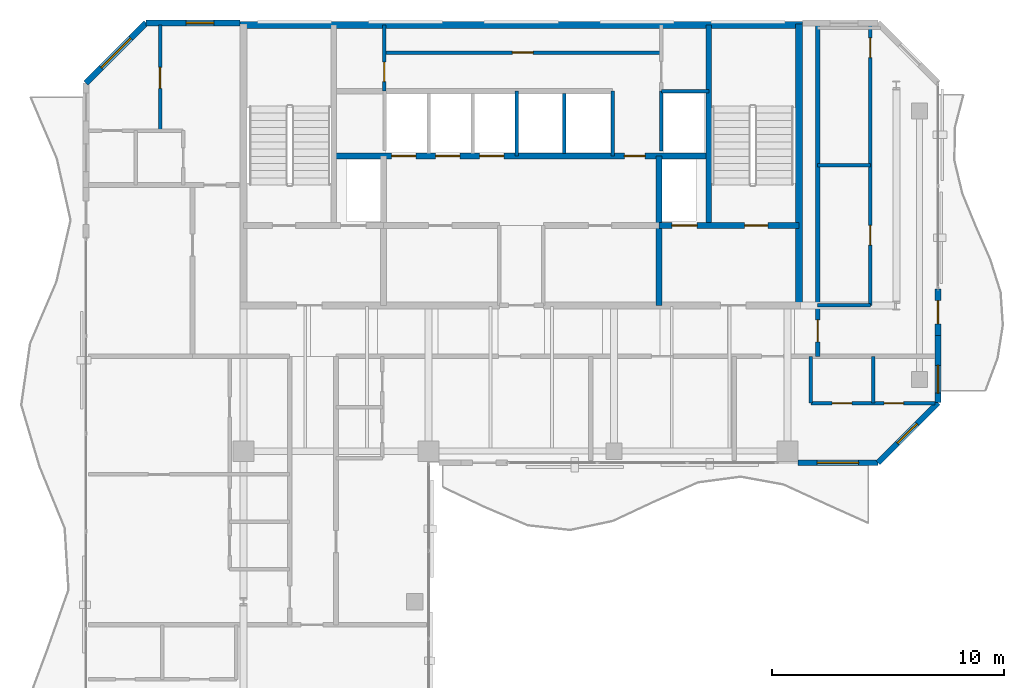
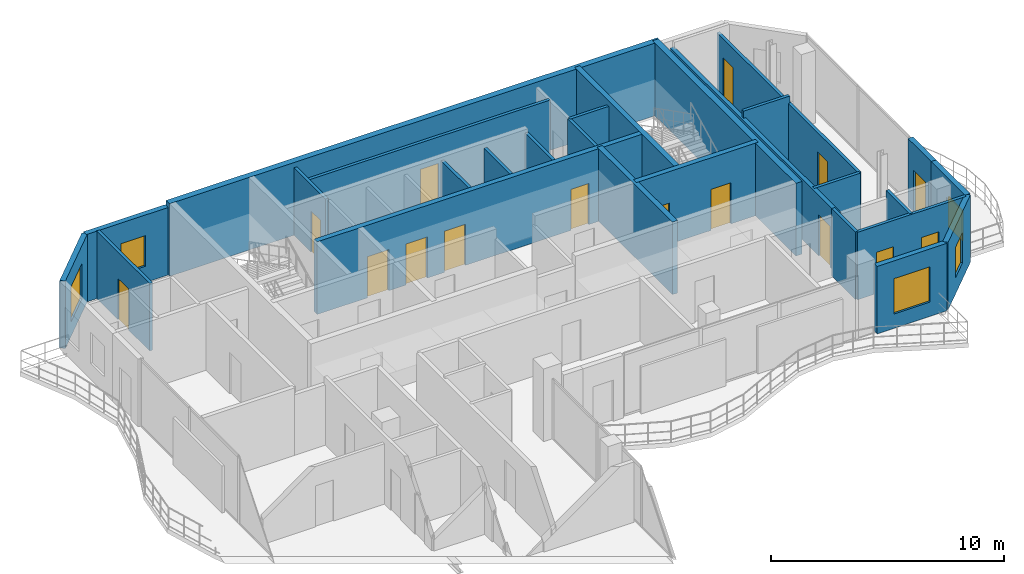
# One storey, part 14 of 17: 27 walls, 15 doors, 5 windows, 20 openings.
"""IFC4 building model written with IfcOpenShell, lengths in metres."""

import ifcopenshell
import ifcopenshell.guid

model = None  # the IFC model being written
_history = None  # IfcOwnerHistory: only IFC2X3 demands one
_inside = {}  # id of a spatial element -> (the spatial element, [elements in it])
_under = {}  # id of a project, library or spatial element -> (it, [spatial elements below it])
_declared = {}  # id of a project -> (the project, [libraries it declares])
_typed = {}  # id of a type object -> (the type object, [elements of that type])
_made_of = {}  # id of a material, layer set ... -> (it, [elements and type objects made of it])


def new_model(schema):
    """Start an empty IFC model of exactly this schema.

    Asked for "IFC4X3", IfcOpenShell would pick the latest addendum, in which some entities
    have other attributes; the version numbers below select the first issue.
    IFC2X3 requires an IfcOwnerHistory on every rooted entity: one is made here for all.
    """
    global model, _history
    if schema == "IFC4X3":
        model = ifcopenshell.file(schema_version=(4, 3, 0, 0))
    else:
        model = ifcopenshell.file(schema=schema)
    _inside.clear()
    _under.clear()
    _declared.clear()
    _typed.clear()
    _made_of.clear()
    _history = None
    if model.schema == "IFC2X3":
        org = make("IfcOrganization", Name="unknown")
        user = make(
            "IfcPersonAndOrganization",
            ThePerson=make("IfcPerson", FamilyName="unknown"),
            TheOrganization=org,
        )
        app = make(
            "IfcApplication",
            ApplicationDeveloper=org,
            Version="unknown",
            ApplicationFullName="unknown",
            ApplicationIdentifier="unknown",
        )
        _history = make(
            "IfcOwnerHistory",
            OwningUser=user,
            OwningApplication=app,
            ChangeAction="ADDED",
            CreationDate=0,
        )
    return model


def make(cls, **values):
    """One entity of the class cls with the attributes given. An attribute that is None is left unset."""
    return model.create_entity(
        cls, **{name: value for name, value in values.items() if value is not None}
    )


def rooted(cls, **values):
    """An entity with a GlobalId (a new one), such as an element, a storey or a relation."""
    return make(cls, GlobalId=ifcopenshell.guid.new(), OwnerHistory=_history, **values)


def si_unit(unit_type, name, prefix=None):
    """IfcSIUnit, for example si_unit("LENGTHUNIT", "METRE", prefix="MILLI")."""
    return make("IfcSIUnit", UnitType=unit_type, Prefix=prefix, Name=name)


def assignment(units):
    """IfcUnitAssignment: the units of a project."""
    return None if units is None else make("IfcUnitAssignment", Units=units)


def point(xyz):
    """IfcCartesianPoint."""
    return None if xyz is None else make("IfcCartesianPoint", Coordinates=xyz)


def direction(xyz):
    """IfcDirection."""
    return None if xyz is None else make("IfcDirection", DirectionRatios=xyz)


def frame(location, z_axis=None, x_axis=None):
    """IfcAxis2Placement3D, a coordinate frame: its origin and axes. An axis left out is left unset."""
    return make(
        "IfcAxis2Placement3D",
        Location=point(location),
        Axis=direction(z_axis),
        RefDirection=direction(x_axis),
    )


def frame_2d(location, x_axis=None):
    """IfcAxis2Placement2D, a coordinate frame in the plane: its origin and x axis."""
    return make(
        "IfcAxis2Placement2D", Location=point(location), RefDirection=direction(x_axis)
    )


def origin():
    """The frame at (0, 0, 0) with its axes left unset."""
    return frame((0.0, 0.0, 0.0))


def place(relative_to, where):
    """IfcLocalPlacement: puts the frame where relative to a parent placement (None: the world)."""
    return make(
        "IfcLocalPlacement", PlacementRelTo=relative_to, RelativePlacement=where
    )


def context(
    kind, dimensions, precision=None, world=None, true_north=None, identifier=None
):
    """IfcGeometricRepresentationContext, for example the 3D "Model" context."""
    return make(
        "IfcGeometricRepresentationContext",
        ContextIdentifier=identifier,
        ContextType=kind,
        CoordinateSpaceDimension=dimensions,
        Precision=precision,
        WorldCoordinateSystem=world,
        TrueNorth=true_north,
    )


def subcontext(parent, identifier, kind, view, scale=None):
    """IfcGeometricRepresentationSubContext, for example "Body" below "Model"."""
    return make(
        "IfcGeometricRepresentationSubContext",
        ContextIdentifier=identifier,
        ContextType=kind,
        ParentContext=parent,
        TargetScale=scale,
        TargetView=view,
    )


def project(units=None, contexts=None):
    """IfcProject with its units and contexts."""
    return rooted(
        "IfcProject",
        Name="project",
        RepresentationContexts=contexts,
        UnitsInContext=assignment(units),
    )


def spatial(cls, under=None, at=None, **own):
    """A site, building, storey or space (cls), placed at a placement, below another one or the project."""
    s = rooted(cls, ObjectPlacement=at, **own)
    if under is not None:
        _under.setdefault(under.id(), (under, []))[1].append(s)
    return s


def profile(cls, at=None, kind="AREA", **sizes):
    """A parametric profile (cls). Its sizes go by their IFC names, for example OverallWidth=200.0."""
    return make(cls, ProfileType=kind, Position=at, **sizes)


def rectangle(**sizes):
    """IfcRectangleProfileDef."""
    return profile("IfcRectangleProfileDef", **sizes)


def extrude(swept, where, along, depth):
    """IfcExtrudedAreaSolid: the profile swept, set in the frame where, extruded along a direction by depth."""
    return make(
        "IfcExtrudedAreaSolid",
        SweptArea=swept,
        Position=where,
        ExtrudedDirection=direction(along),
        Depth=depth,
    )


def shape(context_of_items, identifier, shape_type, items):
    """IfcShapeRepresentation: the items that make up one representation, for example the "Body"."""
    return make(
        "IfcShapeRepresentation",
        ContextOfItems=context_of_items,
        RepresentationIdentifier=identifier,
        RepresentationType=shape_type,
        Items=items,
    )


def material(Name=None, Category=None):
    """IfcMaterial."""
    return make("IfcMaterial", Name=Name, Category=Category)


def layer(
    of_material, thickness, ventilated=None, Name=None, Category=None, Priority=None
):
    """IfcMaterialLayer: one layer of a wall or slab, of a material (None: an air gap)."""
    return make(
        "IfcMaterialLayer",
        Material=of_material,
        LayerThickness=thickness,
        IsVentilated=ventilated,
        Name=Name,
        Category=Category,
        Priority=Priority,
    )


def layer_set(layers, Name=None):
    """IfcMaterialLayerSet."""
    return make("IfcMaterialLayerSet", MaterialLayers=layers, LayerSetName=Name)


def made_of(thing, what):
    """Note that an element or type object is made of a material, layer set ...; save() writes the relation."""
    if what is not None:
        _made_of.setdefault(what.id(), (what, []))[1].append(thing)
    return thing


def type_object(cls, material=None, **own):
    """A type object (cls), such as IfcWallType, which elements share."""
    return made_of(rooted(cls, **own), material)


def element(
    cls,
    number,
    at=None,
    inside=None,
    cuts=None,
    type_object=None,
    material=None,
    context=None,
    identifier="Body",
    shape_type=None,
    held_by="IfcProductDefinitionShape",
    body=None,
    shapes=None,
    **own,
):
    """One element of the class cls, such as IfcWall. Its Tag is "e" and its number.

    at: its placement. inside: the storey or other place that contains it. cuts: it is an
    opening in that element (IfcRelVoidsElement). A single representation is given by context,
    identifier, shape_type and body (its items); several are given by shapes. held_by: the class
    of the entity that holds the representations. save() writes the other relations.
    """
    e = rooted(cls, Tag="e%d" % number, ObjectPlacement=at, **own)
    if body is not None:
        shapes = [shape(context, identifier, shape_type, body)]
    if shapes is not None:
        e.Representation = make(held_by, Representations=shapes)
    if inside is not None:
        _inside.setdefault(inside.id(), (inside, []))[1].append(e)
    if cuts is not None:
        rooted(
            "IfcRelVoidsElement", RelatingBuildingElement=cuts, RelatedOpeningElement=e
        )
    if type_object is not None:
        _typed.setdefault(type_object.id(), (type_object, []))[1].append(e)
    return made_of(e, material)


def fill(opening, filler):
    """IfcRelFillsElement: the door or window that sits in an opening."""
    return rooted(
        "IfcRelFillsElement",
        RelatingOpeningElement=opening,
        RelatedBuildingElement=filler,
    )


def aggregate(whole, parts):
    """IfcRelAggregates: a whole, such as a stair, and the parts it consists of."""
    return rooted("IfcRelAggregates", RelatingObject=whole, RelatedObjects=parts)


def save(model, path):
    """Write the relations noted so far, then the file.

    IfcRelAggregates (storeys below a building ...), IfcRelContainedInSpatialStructure (elements
    in a storey), IfcRelDefinesByType, IfcRelAssociatesMaterial and IfcRelDeclares: one each for
    every whole, place, type object, material and project.
    """
    for whole, parts in _under.values():
        aggregate(whole, parts)
    for where, things in _inside.values():
        rooted(
            "IfcRelContainedInSpatialStructure",
            RelatedElements=things,
            RelatingStructure=where,
        )
    for kind, things in _typed.values():
        rooted("IfcRelDefinesByType", RelatedObjects=things, RelatingType=kind)
    for what, things in _made_of.values():
        rooted("IfcRelAssociatesMaterial", RelatedObjects=things, RelatingMaterial=what)
    for by, libraries in _declared.values():
        rooted("IfcRelDeclares", RelatingContext=by, RelatedDefinitions=libraries)
    model.write(path)


model = new_model("IFC4")

# Units and contexts
model_context = context("Model", 3, precision=1e-05, world=origin(), true_north=direction((0.0, 1.0)))
body_context = subcontext(model_context, "Body", "Model", "MODEL_VIEW")
ifc_project = project(units=[si_unit("LENGTHUNIT", "METRE"), si_unit("AREAUNIT", "SQUARE_METRE"), si_unit("VOLUMEUNIT", "CUBIC_METRE"), si_unit("PLANEANGLEUNIT", "RADIAN"), si_unit("MASSUNIT", "GRAM", prefix="KILO")], contexts=[model_context])

# Site, building, storey
site_placement = place(None, origin())
site = spatial("IfcSite", under=ifc_project, at=site_placement, CompositionType="ELEMENT")
building_placement = place(site_placement, origin())
building = spatial("IfcBuilding", under=site, at=building_placement, Name="Catumbela Crestline Tower", CompositionType="ELEMENT")
storey_placement = place(building_placement, frame((0.0, 0.0, 271.6)))
storey = spatial("IfcBuildingStorey", under=building, at=storey_placement, Name="L70", CompositionType="ELEMENT", Elevation=271.6)

# Walls
ifc_material_1 = material(Name="Concrete C50/60", Category="concrete")
ifc_layer_1 = layer(ifc_material_1, 0.25, Name="Concrete C50/60")
ifc_layer_set_1 = layer_set([ifc_layer_1], Name="Concrete C50/60")
wall_type_1 = type_object("IfcWallType", Name="CW-250D", PredefinedType="SHEAR", material=ifc_layer_set_1)
wall_1_placement = place(storey_placement, frame((36.1, 34.25, 0.0), z_axis=(0.0, 0.0, 1.0), x_axis=(0.0, 1.0, 0.0)))
element("IfcWall", 1, at=wall_1_placement, inside=storey, type_object=wall_type_1, Name="L70 Structural Core Shear Wall EWEB", PredefinedType="SHEAR", context=body_context, shape_type="SweptSolid", body=[
    extrude(rectangle(XDim=8.65, YDim=0.25, at=frame_2d((4.325, 0.0))), origin(), (0.0, 0.0, 1.0), 3.8),
])
wall_2_placement = place(storey_placement, frame((33.95, 30.8, 0.0), z_axis=(0.0, 0.0, 1.0), x_axis=(0.0, 1.0, 0.0)))
element("IfcWall", 2, at=wall_2_placement, inside=storey, type_object=wall_type_1, Name="L70 Structural Core Shear Wall FFE", PredefinedType="SHEAR", context=body_context, shape_type="SweptSolid", body=[
    extrude(rectangle(XDim=6.45, YDim=0.25, at=frame_2d((3.225, 0.0))), origin(), (0.0, 0.0, 1.0), 3.8),
])

# Wall, openings, doors
wall_3_placement = place(storey_placement, frame((33.95, 34.25, 0.0), z_axis=(0.0, 0.0, 1.0), x_axis=(1.0, 0.0, 0.0)))
wall_3 = element("IfcWall", 3, at=wall_3_placement, inside=storey, type_object=wall_type_1, Name="L70 Structural Core Shear Wall ST2S", PredefinedType="SHEAR", context=body_context, shape_type="SweptSolid", body=[
    extrude(rectangle(XDim=6.05, YDim=0.25, at=frame_2d((3.025, 0.0))), origin(), (0.0, 0.0, 1.0), 3.8),
])
opening_1_placement = place(wall_3_placement, frame((3.7, 0.0, 0.0)))
opening_1 = element("IfcOpeningElement", 4, at=opening_1_placement, cuts=wall_3, Name="Opening DF9-100", PredefinedType="OPENING", context=body_context, shape_type="SweptSolid", body=[
    extrude(rectangle(XDim=1.0, YDim=2.15, at=frame_2d((0.5, 1.075))), frame((0.0, 0.135, 0.0), z_axis=(0.0, -1.0, 0.0), x_axis=(1.0, 0.0, 0.0)), (0.0, 0.0, 1.0), 0.27),
])
opening_2_placement = place(wall_3_placement, frame((0.55, 0.0, 0.0)))
opening_2 = element("IfcOpeningElement", 5, at=opening_2_placement, cuts=wall_3, Name="Opening LD-110", PredefinedType="OPENING", context=body_context, shape_type="SweptSolid", body=[
    extrude(rectangle(XDim=1.1, YDim=2.15, at=frame_2d((0.55, 1.075))), frame((0.0, 0.135, 0.0), z_axis=(0.0, -1.0, 0.0), x_axis=(1.0, 0.0, 0.0)), (0.0, 0.0, 1.0), 0.27),
])
ifc_material_2 = material(Name="Stainless steel EN 1.4401", Category="steel")
door_type_1 = type_object("IfcDoorType", Name="DF9-100", OperationType="NOTDEFINED", PredefinedType="DOOR", material=ifc_material_2)
door_1_placement = place(opening_1_placement, origin())
door_1 = element("IfcDoor", 6, at=door_1_placement, inside=storey, type_object=door_type_1, Name="L70 Interior Door DR-L70-ST02", OperationType="SINGLE_SWING_RIGHT", OverallHeight=2.15, OverallWidth=1.0, PredefinedType="DOOR", context=body_context, shape_type="SweptSolid", body=[
    extrude(rectangle(XDim=1.0, YDim=2.15, at=frame_2d((0.5, 1.075))), frame((0.0, 0.025, 0.0), z_axis=(0.0, -1.0, 0.0), x_axis=(1.0, 0.0, 0.0)), (0.0, 0.0, 1.0), 0.05),
])
fill(opening_1, door_1)
door_type_2 = type_object("IfcDoorType", Name="LD-110", OperationType="NOTDEFINED", PredefinedType="DOOR", material=ifc_material_2)
door_2_placement = place(opening_2_placement, origin())
door_2 = element("IfcDoor", 7, at=door_2_placement, inside=storey, type_object=door_type_2, Name="L70 Lift Landing Sliding Door FL-02", OperationType="DOUBLE_DOOR_SLIDING", OverallHeight=2.15, OverallWidth=1.1, PredefinedType="DOOR", context=body_context, shape_type="SweptSolid", body=[
    extrude(rectangle(XDim=1.1, YDim=2.15, at=frame_2d((0.55, 1.075))), frame((0.0, 0.025, 0.0), z_axis=(0.0, -1.0, 0.0), x_axis=(1.0, 0.0, 0.0)), (0.0, 0.0, 1.0), 0.05),
])
fill(opening_2, door_2)

wall_4_placement = place(storey_placement, frame((19.9, 37.25, 0.0), z_axis=(0.0, 0.0, 1.0), x_axis=(1.0, 0.0, 0.0)))
wall_4 = element("IfcWall", 8, at=wall_4_placement, inside=storey, type_object=wall_type_1, Name="L70 Structural Core Shear Wall LIFTN", PredefinedType="SHEAR", context=body_context, shape_type="SweptSolid", body=[
    extrude(rectangle(XDim=16.2, YDim=0.25, at=frame_2d((8.1, 0.0))), origin(), (0.0, 0.0, 1.0), 3.8),
])
opening_3_placement = place(wall_4_placement, frame((12.55, 0.0, 0.0)))
opening_3 = element("IfcOpeningElement", 9, at=opening_3_placement, cuts=wall_4, Name="Opening DF9-090", PredefinedType="OPENING", context=body_context, shape_type="SweptSolid", body=[
    extrude(rectangle(XDim=0.9, YDim=2.15, at=frame_2d((0.45, 1.075))), frame((0.0, 0.135, 0.0), z_axis=(0.0, -1.0, 0.0), x_axis=(1.0, 0.0, 0.0)), (0.0, 0.0, 1.0), 0.27),
])
opening_4_placement = place(wall_4_placement, frame((2.5, 0.0, 0.0)))
opening_4 = element("IfcOpeningElement", 10, at=opening_4_placement, cuts=wall_4, Name="Opening LD-105", PredefinedType="OPENING", context=body_context, shape_type="SweptSolid", body=[
    extrude(rectangle(XDim=1.05, YDim=2.15, at=frame_2d((0.525, 1.075))), frame((0.0, 0.135, 0.0), z_axis=(0.0, -1.0, 0.0), x_axis=(1.0, 0.0, 0.0)), (0.0, 0.0, 1.0), 0.27),
])
opening_5_placement = place(wall_4_placement, frame((4.4, 0.0, 0.0)))
opening_5 = element("IfcOpeningElement", 11, at=opening_5_placement, cuts=wall_4, Name="Opening LD-105", PredefinedType="OPENING", context=body_context, shape_type="SweptSolid", body=[
    extrude(rectangle(XDim=1.05, YDim=2.15, at=frame_2d((0.525, 1.075))), frame((0.0, 0.135, 0.0), z_axis=(0.0, -1.0, 0.0), x_axis=(1.0, 0.0, 0.0)), (0.0, 0.0, 1.0), 0.27),
])
opening_6_placement = place(wall_4_placement, frame((6.3, 0.0, 0.0)))
opening_6 = element("IfcOpeningElement", 12, at=opening_6_placement, cuts=wall_4, Name="Opening LD-105", PredefinedType="OPENING", context=body_context, shape_type="SweptSolid", body=[
    extrude(rectangle(XDim=1.05, YDim=2.15, at=frame_2d((0.525, 1.075))), frame((0.0, 0.135, 0.0), z_axis=(0.0, -1.0, 0.0), x_axis=(1.0, 0.0, 0.0)), (0.0, 0.0, 1.0), 0.27),
])
door_type_3 = type_object("IfcDoorType", Name="DF9-090", OperationType="NOTDEFINED", PredefinedType="DOOR", material=ifc_material_2)
door_3_placement = place(opening_3_placement, origin())
door_3 = element("IfcDoor", 13, at=door_3_placement, inside=storey, type_object=door_type_3, Name="L70 Interior Door DR-L70-CPAS1", OperationType="SINGLE_SWING_LEFT", OverallHeight=2.15, OverallWidth=0.9, PredefinedType="DOOR", context=body_context, shape_type="SweptSolid", body=[
    extrude(rectangle(XDim=0.9, YDim=2.15, at=frame_2d((0.45, 1.075))), frame((0.0, 0.025, 0.0), z_axis=(0.0, -1.0, 0.0), x_axis=(1.0, 0.0, 0.0)), (0.0, 0.0, 1.0), 0.05),
])
fill(opening_3, door_3)
door_type_4 = type_object("IfcDoorType", Name="LD-105", OperationType="NOTDEFINED", PredefinedType="DOOR", material=ifc_material_2)
door_4_placement = place(opening_4_placement, origin())
door_4 = element("IfcDoor", 14, at=door_4_placement, inside=storey, type_object=door_type_4, Name="L70 Lift Landing Sliding Door PL-H1", OperationType="DOUBLE_DOOR_SLIDING", OverallHeight=2.15, OverallWidth=1.05, PredefinedType="DOOR", context=body_context, shape_type="SweptSolid", body=[
    extrude(rectangle(XDim=1.05, YDim=2.15, at=frame_2d((0.525, 1.075))), frame((0.0, 0.025, 0.0), z_axis=(0.0, -1.0, 0.0), x_axis=(1.0, 0.0, 0.0)), (0.0, 0.0, 1.0), 0.05),
])
fill(opening_4, door_4)
door_5_placement = place(opening_5_placement, origin())
door_5 = element("IfcDoor", 15, at=door_5_placement, inside=storey, type_object=door_type_4, Name="L70 Lift Landing Sliding Door PL-H2", OperationType="DOUBLE_DOOR_SLIDING", OverallHeight=2.15, OverallWidth=1.05, PredefinedType="DOOR", context=body_context, shape_type="SweptSolid", body=[
    extrude(rectangle(XDim=1.05, YDim=2.15, at=frame_2d((0.525, 1.075))), frame((0.0, 0.025, 0.0), z_axis=(0.0, -1.0, 0.0), x_axis=(1.0, 0.0, 0.0)), (0.0, 0.0, 1.0), 0.05),
])
fill(opening_5, door_5)
door_6_placement = place(opening_6_placement, origin())
door_6 = element("IfcDoor", 16, at=door_6_placement, inside=storey, type_object=door_type_4, Name="L70 Lift Landing Sliding Door PL-H3", OperationType="DOUBLE_DOOR_SLIDING", OverallHeight=2.15, OverallWidth=1.05, PredefinedType="DOOR", context=body_context, shape_type="SweptSolid", body=[
    extrude(rectangle(XDim=1.05, YDim=2.15, at=frame_2d((0.525, 1.075))), frame((0.0, 0.025, 0.0), z_axis=(0.0, -1.0, 0.0), x_axis=(1.0, 0.0, 0.0)), (0.0, 0.0, 1.0), 0.05),
])
fill(opening_6, door_6)

# Walls
ifc_material_3 = material(Name="Concrete C45/55", Category="concrete")
ifc_layer_2 = layer(ifc_material_3, 0.3, Name="Concrete C45/55")
ifc_layer_set_2 = layer_set([ifc_layer_2], Name="Concrete C45/55")
wall_type_2 = type_object("IfcWallType", Name="CW-300C", PredefinedType="SHEAR", material=ifc_layer_set_2)
wall_5_placement = place(storey_placement, frame((40.0, 30.65, 0.0), z_axis=(0.0, 0.0, 1.0), x_axis=(0.0, 1.0, 0.0)))
element("IfcWall", 17, at=wall_5_placement, inside=storey, type_object=wall_type_2, Name="L70 Structural Core Shear Wall E", PredefinedType="SHEAR", context=body_context, shape_type="SweptSolid", body=[
    extrude(rectangle(XDim=12.3, YDim=0.3, at=frame_2d((6.15, 0.0))), origin(), (0.0, 0.0, 1.0), 3.8),
])
ifc_layer_3 = layer(ifc_material_3, 0.3, Name="Concrete C45/55")
ifc_layer_set_3 = layer_set([ifc_layer_3], Name="Concrete C45/55")
wall_type_3 = type_object("IfcWallType", Name="CW-300E", PredefinedType="SHEAR", material=ifc_layer_set_3)
wall_6_placement = place(storey_placement, frame((15.85, 42.9, 0.0), z_axis=(0.0, 0.0, 1.0), x_axis=(1.0, 0.0, 0.0)))
element("IfcWall", 18, at=wall_6_placement, inside=storey, type_object=wall_type_3, Name="L70 Structural Core Shear Wall N", PredefinedType="SHEAR", context=body_context, shape_type="SweptSolid", body=[
    extrude(rectangle(XDim=24.3, YDim=0.3, at=frame_2d((12.15, 0.0))), origin(), (0.0, 0.0, 1.0), 3.8),
])

# Wall, opening, door
ifc_material_4 = material(Name="Acoustic gypsum and mineral-wool partition")
ifc_layer_4 = layer(ifc_material_4, 0.2, Name="Acoustic gypsum and mineral-wool partition")
ifc_layer_set_4 = layer_set([ifc_layer_4], Name="Acoustic gypsum and mineral-wool partition")
wall_type_4 = type_object("IfcWallType", Name="WC-200", PredefinedType="PARTITIONING", material=ifc_layer_set_4)
wall_7_placement = place(storey_placement, frame((40.8, 28.6, 0.0), z_axis=(0.0, 0.0, 1.0), x_axis=(0.0, 1.0, 0.0)))
wall_7 = element("IfcWall", 19, at=wall_7_placement, inside=storey, type_object=wall_type_4, Name="L70 Interior Partition PW-L70-NE1-ENT", PredefinedType="PARTITIONING", context=body_context, shape_type="SweptSolid", body=[
    extrude(rectangle(XDim=14.3, YDim=0.2, at=frame_2d((7.15, 0.0))), origin(), (0.0, 0.0, 1.0), 3.16),
])
opening_7_placement = place(wall_7_placement, frame((0.625, 0.0, 0.0)))
opening_7 = element("IfcOpeningElement", 20, at=opening_7_placement, cuts=wall_7, Name="Opening DF6-095", PredefinedType="OPENING", context=body_context, shape_type="SweptSolid", body=[
    extrude(rectangle(XDim=0.95, YDim=2.15, at=frame_2d((0.475, 1.075))), frame((0.0, 0.11, 0.0), z_axis=(0.0, -1.0, 0.0), x_axis=(1.0, 0.0, 0.0)), (0.0, 0.0, 1.0), 0.22),
])
ifc_material_5 = material(Name="Aluminium alloy AW-6060-T66", Category="aluminium")
door_type_5 = type_object("IfcDoorType", Name="DF6-095", OperationType="NOTDEFINED", PredefinedType="DOOR", material=ifc_material_5)
door_7_placement = place(opening_7_placement, origin())
door_7 = element("IfcDoor", 21, at=door_7_placement, inside=storey, type_object=door_type_5, Name="L70 Interior Door DR-L70-NE1-ENT", OperationType="SINGLE_SWING_LEFT", OverallHeight=2.15, OverallWidth=0.95, PredefinedType="DOOR", context=body_context, shape_type="SweptSolid", body=[
    extrude(rectangle(XDim=0.95, YDim=2.15, at=frame_2d((0.475, 1.075))), frame((0.0, 0.025, 0.0), z_axis=(0.0, -1.0, 0.0), x_axis=(1.0, 0.0, 0.0)), (0.0, 0.0, 1.0), 0.05),
])
fill(opening_7, door_7)

# Wall, opening, window
ifc_material_6 = material(Name="Angolan grey-ochre granite", Category="masonry")
ifc_layer_5 = layer(ifc_material_6, 0.25, Name="Angolan grey-ochre granite")
ifc_layer_set_5 = layer_set([ifc_layer_5], Name="Angolan grey-ochre granite")
wall_type_5 = type_object("IfcWallType", Name="WE-250", PredefinedType="STANDARD", material=ifc_layer_set_5)
wall_8_placement = place(storey_placement, frame((39.95, 24.0, 0.0), z_axis=(0.0, 0.0, 1.0), x_axis=(1.0, 0.0, 0.0)))
wall_8 = element("IfcWall", 22, at=wall_8_placement, inside=storey, type_object=wall_type_5, Name="L70 Granite Punched Window Wall 3-3", PredefinedType="STANDARD", context=body_context, shape_type="SweptSolid", body=[
    extrude(rectangle(XDim=3.45, YDim=0.25, at=frame_2d((1.725, 0.0))), origin(), (0.0, 0.0, 1.0), 3.53),
])
opening_8_placement = place(wall_8_placement, frame((0.825, 0.0, 0.75)))
opening_8 = element("IfcOpeningElement", 23, at=opening_8_placement, cuts=wall_8, Name="Opening WN-01", PredefinedType="OPENING", context=body_context, shape_type="SweptSolid", body=[
    extrude(rectangle(XDim=1.8, YDim=1.85, at=frame_2d((0.9, 0.925))), frame((0.0, 0.135, 0.0), z_axis=(0.0, -1.0, 0.0), x_axis=(1.0, 0.0, 0.0)), (0.0, 0.0, 1.0), 0.27),
])
ifc_material_7 = material(Name="Low-E laminated solar-control double glazing", Category="glass")
window_type_1 = type_object("IfcWindowType", Name="WF-1800", PartitioningType="SINGLE_PANEL", PredefinedType="WINDOW", material=ifc_material_7)
window_1_placement = place(opening_8_placement, origin())
window_1 = element("IfcWindow", 24, at=window_1_placement, inside=storey, type_object=window_type_1, Name="L70 Facade Vision Window 553", OverallHeight=1.85, OverallWidth=1.8, PartitioningType="SINGLE_PANEL", PredefinedType="WINDOW", context=body_context, shape_type="SweptSolid", body=[
    extrude(rectangle(XDim=1.8, YDim=1.85, at=frame_2d((0.9, 0.925))), frame((0.0, 0.03, 0.0), z_axis=(0.0, -1.0, 0.0), x_axis=(1.0, 0.0, 0.0)), (0.0, 0.0, 1.0), 0.06),
])
fill(opening_8, window_1)

wall_9_placement = place(storey_placement, frame((43.4, 24.0, 0.0), z_axis=(0.0, 0.0, 1.0), x_axis=(0.707106781187, 0.707106781187, 0.0)))
wall_9 = element("IfcWall", 25, at=wall_9_placement, inside=storey, type_object=wall_type_5, Name="L70 Granite Punched Window Wall 4-1", PredefinedType="STANDARD", context=body_context, shape_type="SweptSolid", body=[
    extrude(rectangle(XDim=3.677, YDim=0.25, at=frame_2d((1.8385, 0.0))), origin(), (0.0, 0.0, 1.0), 3.53),
])
opening_9_placement = place(wall_9_placement, frame((1.1962, 0.0, 0.85)))
opening_9 = element("IfcOpeningElement", 26, at=opening_9_placement, cuts=wall_9, Name="Opening WN-02", PredefinedType="OPENING", context=body_context, shape_type="SweptSolid", body=[
    extrude(rectangle(XDim=1.2, YDim=1.6, at=frame_2d((0.6, 0.8))), frame((0.0, 0.135, 0.0), z_axis=(0.0, -1.0, 0.0), x_axis=(1.0, 0.0, 0.0)), (0.0, 0.0, 1.0), 0.27),
])
window_type_2 = type_object("IfcWindowType", Name="WO-1200", PartitioningType="SINGLE_PANEL", PredefinedType="WINDOW", material=ifc_material_7)
window_2_placement = place(opening_9_placement, origin())
window_2 = element("IfcWindow", 27, at=window_2_placement, inside=storey, type_object=window_type_2, Name="L70 Facade Vision Window 554", OverallHeight=1.6, OverallWidth=1.2, PartitioningType="SINGLE_PANEL", PredefinedType="WINDOW", context=body_context, shape_type="SweptSolid", body=[
    extrude(rectangle(XDim=1.2, YDim=1.6, at=frame_2d((0.6, 0.8))), frame((0.0, 0.03, 0.0), z_axis=(0.0, -1.0, 0.0), x_axis=(1.0, 0.0, 0.0)), (0.0, 0.0, 1.0), 0.06),
])
fill(opening_9, window_2)

# Wall, opening, door
wall_10_placement = place(storey_placement, frame((46.0, 29.5, 0.0), z_axis=(0.0, 0.0, 1.0), x_axis=(0.0, 1.0, 0.0)))
wall_10 = element("IfcWall", 28, at=wall_10_placement, inside=storey, type_object=wall_type_5, Name="L70 Exterior Threshold Portal Wall DR-L70-WBAL-2", PredefinedType="STANDARD", context=body_context, shape_type="SweptSolid", body=[
    extrude(rectangle(XDim=2.0, YDim=0.25, at=frame_2d((1.0, 0.0))), origin(), (0.0, 0.0, 1.0), 3.53),
])
opening_10_placement = place(wall_10_placement, frame((0.5, 0.0, 0.0)))
opening_10 = element("IfcOpeningElement", 29, at=opening_10_placement, cuts=wall_10, Name="Opening DB-L70-2", PredefinedType="OPENING", context=body_context, shape_type="SweptSolid", body=[
    extrude(rectangle(XDim=1.0, YDim=2.15, at=frame_2d((0.5, 1.075))), frame((0.0, 0.135, 0.0), z_axis=(0.0, -1.0, 0.0), x_axis=(1.0, 0.0, 0.0)), (0.0, 0.0, 1.0), 0.27),
])
door_type_6 = type_object("IfcDoorType", Name="DB-1000", OperationType="NOTDEFINED", PredefinedType="DOOR", material=ifc_material_5)
door_8_placement = place(opening_10_placement, origin())
door_8 = element("IfcDoor", 30, at=door_8_placement, inside=storey, type_object=door_type_6, Name="L70 Wave Balcony Terrace Door 2", OperationType="SINGLE_SWING_LEFT", OverallHeight=2.15, OverallWidth=1.0, PredefinedType="DOOR", context=body_context, shape_type="SweptSolid", body=[
    extrude(rectangle(XDim=1.0, YDim=2.15, at=frame_2d((0.5, 1.075))), frame((0.0, 0.025, 0.0), z_axis=(0.0, -1.0, 0.0), x_axis=(1.0, 0.0, 0.0)), (0.0, 0.0, 1.0), 0.05),
])
fill(opening_10, door_8)

# Wall, opening, window
wall_11_placement = place(storey_placement, frame((46.0, 26.6, 0.0), z_axis=(0.0, 0.0, 1.0), x_axis=(0.0, 1.0, 0.0)))
wall_11 = element("IfcWall", 31, at=wall_11_placement, inside=storey, type_object=wall_type_5, Name="L70 Granite Punched Window Wall 5-1", PredefinedType="STANDARD", context=body_context, shape_type="SweptSolid", body=[
    extrude(rectangle(XDim=2.9, YDim=0.25, at=frame_2d((1.45, 0.0))), origin(), (0.0, 0.0, 1.0), 3.53),
])
opening_11_placement = place(wall_11_placement, frame((0.41, 0.0, 0.85)))
opening_11 = element("IfcOpeningElement", 32, at=opening_11_placement, cuts=wall_11, Name="Opening WN-02", PredefinedType="OPENING", context=body_context, shape_type="SweptSolid", body=[
    extrude(rectangle(XDim=1.2, YDim=1.6, at=frame_2d((0.6, 0.8))), frame((0.0, 0.135, 0.0), z_axis=(0.0, -1.0, 0.0), x_axis=(1.0, 0.0, 0.0)), (0.0, 0.0, 1.0), 0.27),
])
window_3_placement = place(opening_11_placement, origin())
window_3 = element("IfcWindow", 33, at=window_3_placement, inside=storey, type_object=window_type_2, Name="L70 Facade Vision Window 555", OverallHeight=1.6, OverallWidth=1.2, PartitioningType="SINGLE_PANEL", PredefinedType="WINDOW", context=body_context, shape_type="SweptSolid", body=[
    extrude(rectangle(XDim=1.2, YDim=1.6, at=frame_2d((0.6, 0.8))), frame((0.0, 0.03, 0.0), z_axis=(0.0, -1.0, 0.0), x_axis=(1.0, 0.0, 0.0)), (0.0, 0.0, 1.0), 0.06),
])
fill(opening_11, window_3)

wall_12_placement = place(storey_placement, frame((15.86, 43.0, 0.0), z_axis=(0.0, 0.0, 1.0), x_axis=(-1.0, 0.0, 0.0)))
wall_12 = element("IfcWall", 34, at=wall_12_placement, inside=storey, type_object=wall_type_5, Name="L70 Granite Punched Window Wall 7-2", PredefinedType="STANDARD", context=body_context, shape_type="SweptSolid", body=[
    extrude(rectangle(XDim=4.06, YDim=0.25, at=frame_2d((2.03, 0.0))), origin(), (0.0, 0.0, 1.0), 3.53),
])
opening_12_placement = place(wall_12_placement, frame((1.14, 0.0, 0.85)))
opening_12 = element("IfcOpeningElement", 35, at=opening_12_placement, cuts=wall_12, Name="Opening WN-02", PredefinedType="OPENING", context=body_context, shape_type="SweptSolid", body=[
    extrude(rectangle(XDim=1.2, YDim=1.6, at=frame_2d((0.6, 0.8))), frame((0.0, 0.135, 0.0), z_axis=(0.0, -1.0, 0.0), x_axis=(1.0, 0.0, 0.0)), (0.0, 0.0, 1.0), 0.27),
])
window_4_placement = place(opening_12_placement, origin())
window_4 = element("IfcWindow", 36, at=window_4_placement, inside=storey, type_object=window_type_2, Name="L70 Facade Vision Window 558", OverallHeight=1.6, OverallWidth=1.2, PartitioningType="SINGLE_PANEL", PredefinedType="WINDOW", context=body_context, shape_type="SweptSolid", body=[
    extrude(rectangle(XDim=1.2, YDim=1.6, at=frame_2d((0.6, 0.8))), frame((0.0, 0.03, 0.0), z_axis=(0.0, -1.0, 0.0), x_axis=(1.0, 0.0, 0.0)), (0.0, 0.0, 1.0), 0.06),
])
fill(opening_12, window_4)

wall_13_placement = place(storey_placement, frame((11.8, 43.0, 0.0), z_axis=(0.0, 0.0, 1.0), x_axis=(-0.707106781187, -0.707106781187, 0.0)))
wall_13 = element("IfcWall", 37, at=wall_13_placement, inside=storey, type_object=wall_type_5, Name="L70 Granite Punched Window Wall 8-1", PredefinedType="STANDARD", context=body_context, shape_type="SweptSolid", body=[
    extrude(rectangle(XDim=3.677, YDim=0.25, at=frame_2d((1.8385, 0.0))), origin(), (0.0, 0.0, 1.0), 3.53),
])
opening_13_placement = place(wall_13_placement, frame((0.9385, 0.0, 0.75)))
opening_13 = element("IfcOpeningElement", 38, at=opening_13_placement, cuts=wall_13, Name="Opening WN-01", PredefinedType="OPENING", context=body_context, shape_type="SweptSolid", body=[
    extrude(rectangle(XDim=1.8, YDim=1.85, at=frame_2d((0.9, 0.925))), frame((0.0, 0.135, 0.0), z_axis=(0.0, -1.0, 0.0), x_axis=(1.0, 0.0, 0.0)), (0.0, 0.0, 1.0), 0.27),
])
window_5_placement = place(opening_13_placement, origin())
window_5 = element("IfcWindow", 39, at=window_5_placement, inside=storey, type_object=window_type_1, Name="L70 Facade Vision Window 559", OverallHeight=1.85, OverallWidth=1.8, PartitioningType="SINGLE_PANEL", PredefinedType="WINDOW", context=body_context, shape_type="SweptSolid", body=[
    extrude(rectangle(XDim=1.8, YDim=1.85, at=frame_2d((0.9, 0.925))), frame((0.0, 0.03, 0.0), z_axis=(0.0, -1.0, 0.0), x_axis=(1.0, 0.0, 0.0)), (0.0, 0.0, 1.0), 0.06),
])
fill(opening_13, window_5)

# Wall
ifc_layer_6 = layer(ifc_material_4, 0.15, Name="Acoustic gypsum and mineral-wool partition")
ifc_layer_set_6 = layer_set([ifc_layer_6], Name="Acoustic gypsum and mineral-wool partition")
wall_type_6 = type_object("IfcWallType", Name="WP-150", PredefinedType="PARTITIONING", material=ifc_layer_set_6)
wall_14_placement = place(storey_placement, frame((34.05, 40.05, 0.0), z_axis=(0.0, 0.0, 1.0), x_axis=(1.0, 0.0, 0.0)))
element("IfcWall", 40, at=wall_14_placement, inside=storey, type_object=wall_type_6, Name="L70 Interior Partition PW-L70-CR-ES", PredefinedType="PARTITIONING", context=body_context, shape_type="SweptSolid", body=[
    extrude(rectangle(XDim=2.05, YDim=0.15, at=frame_2d((1.025, 0.0))), origin(), (0.0, 0.0, 1.0), 3.53),
])

# Wall, opening, door
wall_15_placement = place(storey_placement, frame((22.08, 40.05, 0.0), z_axis=(0.0, 0.0, 1.0), x_axis=(0.0, 1.0, 0.0)))
wall_15 = element("IfcWall", 41, at=wall_15_placement, inside=storey, type_object=wall_type_6, Name="L70 Interior Partition PW-L70-CR-WCW", PredefinedType="PARTITIONING", context=body_context, shape_type="SweptSolid", body=[
    extrude(rectangle(XDim=2.85, YDim=0.15, at=frame_2d((1.425, 0.0))), origin(), (0.0, 0.0, 1.0), 3.53),
])
opening_14_placement = place(wall_15_placement, frame((0.41, 0.0, 0.0)))
opening_14 = element("IfcOpeningElement", 42, at=opening_14_placement, cuts=wall_15, Name="Opening DI-085", PredefinedType="OPENING", context=body_context, shape_type="SweptSolid", body=[
    extrude(rectangle(XDim=0.85, YDim=2.15, at=frame_2d((0.425, 1.075))), frame((0.0, 0.085, 0.0), z_axis=(0.0, -1.0, 0.0), x_axis=(1.0, 0.0, 0.0)), (0.0, 0.0, 1.0), 0.17),
])
door_type_7 = type_object("IfcDoorType", Name="DI-085", OperationType="NOTDEFINED", PredefinedType="DOOR", material=ifc_material_5)
door_9_placement = place(opening_14_placement, origin())
door_9 = element("IfcDoor", 43, at=door_9_placement, inside=storey, type_object=door_type_7, Name="L70 Interior Door DR-L70-CRWC", OperationType="SINGLE_SWING_LEFT", OverallHeight=2.15, OverallWidth=0.85, PredefinedType="DOOR", context=body_context, shape_type="SweptSolid", body=[
    extrude(rectangle(XDim=0.85, YDim=2.15, at=frame_2d((0.425, 1.075))), frame((0.0, 0.025, 0.0), z_axis=(0.0, -1.0, 0.0), x_axis=(1.0, 0.0, 0.0)), (0.0, 0.0, 1.0), 0.05),
])
fill(opening_14, door_9)

wall_16_placement = place(storey_placement, frame((22.08, 41.72, 0.0), z_axis=(0.0, 0.0, 1.0), x_axis=(1.0, 0.0, 0.0)))
wall_16 = element("IfcWall", 44, at=wall_16_placement, inside=storey, type_object=wall_type_6, Name="L70 Interior Partition PW-L70-CR-MID", PredefinedType="PARTITIONING", context=body_context, shape_type="SweptSolid", body=[
    extrude(rectangle(XDim=11.97, YDim=0.15, at=frame_2d((5.985, 0.0))), origin(), (0.0, 0.0, 1.0), 3.53),
])
opening_15_placement = place(wall_16_placement, frame((5.535, 0.0, 0.0)))
opening_15 = element("IfcOpeningElement", 45, at=opening_15_placement, cuts=wall_16, Name="Opening DF9-090", PredefinedType="OPENING", context=body_context, shape_type="SweptSolid", body=[
    extrude(rectangle(XDim=0.9, YDim=2.15, at=frame_2d((0.45, 1.075))), frame((0.0, 0.085, 0.0), z_axis=(0.0, -1.0, 0.0), x_axis=(1.0, 0.0, 0.0)), (0.0, 0.0, 1.0), 0.17),
])
door_10_placement = place(opening_15_placement, origin())
door_10 = element("IfcDoor", 46, at=door_10_placement, inside=storey, type_object=door_type_3, Name="L70 Interior Door DR-L70-CRMID", OperationType="SINGLE_SWING_LEFT", OverallHeight=2.15, OverallWidth=0.9, PredefinedType="DOOR", context=body_context, shape_type="SweptSolid", body=[
    extrude(rectangle(XDim=0.9, YDim=2.15, at=frame_2d((0.45, 1.075))), frame((0.0, 0.025, 0.0), z_axis=(0.0, -1.0, 0.0), x_axis=(1.0, 0.0, 0.0)), (0.0, 0.0, 1.0), 0.05),
])
fill(opening_15, door_10)

wall_17_placement = place(storey_placement, frame((12.4, 38.35, 0.0), z_axis=(0.0, 0.0, 1.0), x_axis=(0.0, 1.0, 0.0)))
wall_17 = element("IfcWall", 47, at=wall_17_placement, inside=storey, type_object=wall_type_6, Name="L70 Interior Partition PW-L70-NW1-BD1W", PredefinedType="PARTITIONING", context=body_context, shape_type="SweptSolid", body=[
    extrude(rectangle(XDim=4.55, YDim=0.15, at=frame_2d((2.275, 0.0))), origin(), (0.0, 0.0, 1.0), 3.53),
])
opening_16_placement = place(wall_17_placement, frame((1.825, 0.0, 0.0)))
opening_16 = element("IfcOpeningElement", 48, at=opening_16_placement, cuts=wall_17, Name="Opening DI-090", PredefinedType="OPENING", context=body_context, shape_type="SweptSolid", body=[
    extrude(rectangle(XDim=0.9, YDim=2.15, at=frame_2d((0.45, 1.075))), frame((0.0, 0.085, 0.0), z_axis=(0.0, -1.0, 0.0), x_axis=(1.0, 0.0, 0.0)), (0.0, 0.0, 1.0), 0.17),
])
door_type_8 = type_object("IfcDoorType", Name="DI-090", OperationType="NOTDEFINED", PredefinedType="DOOR", material=ifc_material_5)
door_11_placement = place(opening_16_placement, origin())
door_11 = element("IfcDoor", 49, at=door_11_placement, inside=storey, type_object=door_type_8, Name="L70 Interior Door DR-L70-NW1-BD1", OperationType="SINGLE_SWING_LEFT", OverallHeight=2.15, OverallWidth=0.9, PredefinedType="DOOR", context=body_context, shape_type="SweptSolid", body=[
    extrude(rectangle(XDim=0.9, YDim=2.15, at=frame_2d((0.45, 1.075))), frame((0.0, 0.025, 0.0), z_axis=(0.0, -1.0, 0.0), x_axis=(1.0, 0.0, 0.0)), (0.0, 0.0, 1.0), 0.05),
])
fill(opening_16, door_11)

# Walls
wall_18_placement = place(storey_placement, frame((40.8, 30.8, 0.0), z_axis=(0.0, 0.0, 1.0), x_axis=(1.0, 0.0, 0.0)))
element("IfcWall", 50, at=wall_18_placement, inside=storey, type_object=wall_type_6, Name="L70 Interior Partition PW-L70-NE1-KBS", PredefinedType="PARTITIONING", context=body_context, shape_type="SweptSolid", body=[
    extrude(rectangle(XDim=2.28, YDim=0.15, at=frame_2d((1.14, 0.0))), origin(), (0.0, 0.0, 1.0), 3.16),
])
wall_19_placement = place(storey_placement, frame((40.8, 36.85, 0.0), z_axis=(0.0, 0.0, 1.0), x_axis=(1.0, 0.0, 0.0)))
element("IfcWall", 51, at=wall_19_placement, inside=storey, type_object=wall_type_6, Name="L70 Interior Partition PW-L70-NE1-KBM", PredefinedType="PARTITIONING", context=body_context, shape_type="SweptSolid", body=[
    extrude(rectangle(XDim=2.28, YDim=0.15, at=frame_2d((1.14, 0.0))), origin(), (0.0, 0.0, 1.0), 3.53),
])

# Wall, openings, doors
wall_20_placement = place(storey_placement, frame((43.08, 30.8, 0.0), z_axis=(0.0, 0.0, 1.0), x_axis=(0.0, 1.0, 0.0)))
wall_20 = element("IfcWall", 52, at=wall_20_placement, inside=storey, type_object=wall_type_6, Name="L70 Interior Partition PW-L70-NE1-SK1", PredefinedType="PARTITIONING", context=body_context, shape_type="SweptSolid", body=[
    extrude(rectangle(XDim=12.1, YDim=0.15, at=frame_2d((6.05, 0.0))), origin(), (0.0, 0.0, 1.0), 3.16),
])
opening_17_placement = place(wall_20_placement, frame((2.6, 0.0, 0.0)))
opening_17 = element("IfcOpeningElement", 53, at=opening_17_placement, cuts=wall_20, Name="Opening DI-085", PredefinedType="OPENING", context=body_context, shape_type="SweptSolid", body=[
    extrude(rectangle(XDim=0.85, YDim=2.15, at=frame_2d((0.425, 1.075))), frame((0.0, 0.085, 0.0), z_axis=(0.0, -1.0, 0.0), x_axis=(1.0, 0.0, 0.0)), (0.0, 0.0, 1.0), 0.17),
])
opening_18_placement = place(wall_20_placement, frame((10.7036, 0.0, 0.0)))
opening_18 = element("IfcOpeningElement", 54, at=opening_18_placement, cuts=wall_20, Name="Opening DI-085", PredefinedType="OPENING", context=body_context, shape_type="SweptSolid", body=[
    extrude(rectangle(XDim=0.85, YDim=2.15, at=frame_2d((0.425, 1.075))), frame((0.0, 0.085, 0.0), z_axis=(0.0, -1.0, 0.0), x_axis=(1.0, 0.0, 0.0)), (0.0, 0.0, 1.0), 0.17),
])
door_12_placement = place(opening_17_placement, origin())
door_12 = element("IfcDoor", 55, at=door_12_placement, inside=storey, type_object=door_type_7, Name="L70 Interior Door DR-L70-NE1-KIT", OperationType="SINGLE_SWING_LEFT", OverallHeight=2.15, OverallWidth=0.85, PredefinedType="DOOR", context=body_context, shape_type="SweptSolid", body=[
    extrude(rectangle(XDim=0.85, YDim=2.15, at=frame_2d((0.425, 1.075))), frame((0.0, 0.025, 0.0), z_axis=(0.0, -1.0, 0.0), x_axis=(1.0, 0.0, 0.0)), (0.0, 0.0, 1.0), 0.05),
])
fill(opening_17, door_12)
door_13_placement = place(opening_18_placement, origin())
door_13 = element("IfcDoor", 56, at=door_13_placement, inside=storey, type_object=door_type_7, Name="L70 Interior Door DR-L70-NE1-BTH", OperationType="SINGLE_SWING_RIGHT", OverallHeight=2.15, OverallWidth=0.85, PredefinedType="DOOR", context=body_context, shape_type="SweptSolid", body=[
    extrude(rectangle(XDim=0.85, YDim=2.15, at=frame_2d((0.425, 1.075))), frame((0.0, 0.025, 0.0), z_axis=(0.0, -1.0, 0.0), x_axis=(1.0, 0.0, 0.0)), (0.0, 0.0, 1.0), 0.05),
])
fill(opening_18, door_13)

# Walls
for number, where, z_axis, x_axis, name in (
    (57, (40.506, 26.576, 0.0), (0.0, 0.0, 1.0), (0.0, 1.0, 0.0), "L70 Interior Partition PW-L70-S3-KBW"),
    (58, (43.203, 26.576, 0.0), (0.0, 0.0, 1.0), (0.0, 1.0, 0.0), "L70 Interior Partition PW-L70-S3-KBM"),
):
    element("IfcWall", number, at=place(storey_placement, frame(where, z_axis=z_axis, x_axis=x_axis)), inside=storey, type_object=wall_type_6, Name=name, PredefinedType="PARTITIONING", context=body_context, shape_type="SweptSolid", body=[
        extrude(rectangle(XDim=2.024, YDim=0.15, at=frame_2d((1.012, 0.0))), origin(), (0.0, 0.0, 1.0), 3.53),
    ])

# Wall, openings, doors
wall_21_placement = place(storey_placement, frame((40.506, 26.576, 0.0), z_axis=(0.0, 0.0, 1.0), x_axis=(1.0, 0.0, 0.0)))
wall_21 = element("IfcWall", 59, at=wall_21_placement, inside=storey, type_object=wall_type_6, Name="L70 Interior Partition PW-L70-S3-KBD1", PredefinedType="PARTITIONING", context=body_context, shape_type="SweptSolid", body=[
    extrude(rectangle(XDim=5.37, YDim=0.15, at=frame_2d((2.685, 0.0))), origin(), (0.0, 0.0, 1.0), 3.53),
])
opening_19_placement = place(wall_21_placement, frame((0.9235, 0.0, 0.0)))
opening_19 = element("IfcOpeningElement", 60, at=opening_19_placement, cuts=wall_21, Name="Opening DI-085", PredefinedType="OPENING", context=body_context, shape_type="SweptSolid", body=[
    extrude(rectangle(XDim=0.85, YDim=2.15, at=frame_2d((0.425, 1.075))), frame((0.0, 0.085, 0.0), z_axis=(0.0, -1.0, 0.0), x_axis=(1.0, 0.0, 0.0)), (0.0, 0.0, 1.0), 0.17),
])
opening_20_placement = place(wall_21_placement, frame((3.1619, 0.0, 0.0)))
opening_20 = element("IfcOpeningElement", 61, at=opening_20_placement, cuts=wall_21, Name="Opening DI-085", PredefinedType="OPENING", context=body_context, shape_type="SweptSolid", body=[
    extrude(rectangle(XDim=0.85, YDim=2.15, at=frame_2d((0.425, 1.075))), frame((0.0, 0.085, 0.0), z_axis=(0.0, -1.0, 0.0), x_axis=(1.0, 0.0, 0.0)), (0.0, 0.0, 1.0), 0.17),
])
door_14_placement = place(opening_19_placement, origin())
door_14 = element("IfcDoor", 62, at=door_14_placement, inside=storey, type_object=door_type_7, Name="L70 Interior Door DR-L70-S3-BTH", OperationType="SINGLE_SWING_LEFT", OverallHeight=2.15, OverallWidth=0.85, PredefinedType="DOOR", context=body_context, shape_type="SweptSolid", body=[
    extrude(rectangle(XDim=0.85, YDim=2.15, at=frame_2d((0.425, 1.075))), frame((0.0, 0.025, 0.0), z_axis=(0.0, -1.0, 0.0), x_axis=(1.0, 0.0, 0.0)), (0.0, 0.0, 1.0), 0.05),
])
fill(opening_19, door_14)
door_15_placement = place(opening_20_placement, origin())
door_15 = element("IfcDoor", 63, at=door_15_placement, inside=storey, type_object=door_type_7, Name="L70 Interior Door DR-L70-S3-KIT", OperationType="SINGLE_SWING_LEFT", OverallHeight=2.15, OverallWidth=0.85, PredefinedType="DOOR", context=body_context, shape_type="SweptSolid", body=[
    extrude(rectangle(XDim=0.85, YDim=2.15, at=frame_2d((0.425, 1.075))), frame((0.0, 0.025, 0.0), z_axis=(0.0, -1.0, 0.0), x_axis=(1.0, 0.0, 0.0)), (0.0, 0.0, 1.0), 0.05),
])
fill(opening_20, door_15)

# Walls
ifc_layer_7 = layer(ifc_material_4, 0.15, Name="Acoustic gypsum and mineral-wool partition")
ifc_layer_set_7 = layer_set([ifc_layer_7], Name="Acoustic gypsum and mineral-wool partition")
wall_type_7 = type_object("IfcWallType", Name="WS-150", PredefinedType="PLUMBINGWALL", material=ifc_layer_set_7)
for number, where, z_axis, x_axis, name in (
    (64, (27.8, 37.25, 0.0), (0.0, 0.0, 1.0), (0.0, 1.0, 0.0), "L70 Interior Partition PW-L70-SHH3"),
    (65, (31.95, 37.25, 0.0), (0.0, 0.0, 1.0), (0.0, 1.0, 0.0), "L70 Interior Partition PW-L70-SHEX2E"),
):
    element("IfcWall", number, at=place(storey_placement, frame(where, z_axis=z_axis, x_axis=x_axis)), inside=storey, type_object=wall_type_7, Name=name, PredefinedType="PLUMBINGWALL", context=body_context, shape_type="SweptSolid", body=[
        extrude(rectangle(XDim=2.8, YDim=0.15, at=frame_2d((1.4, 0.0))), origin(), (0.0, 0.0, 1.0), 3.53),
    ])
wall_22_placement = place(storey_placement, frame((29.85, 37.35, 0.0), z_axis=(0.0, 0.0, 1.0), x_axis=(0.0, 1.0, 0.0)))
element("IfcWall", 66, at=wall_22_placement, inside=storey, type_object=wall_type_7, Name="L70 Interior Partition PW-L70-SHEX1", PredefinedType="PLUMBINGWALL", context=body_context, shape_type="SweptSolid", body=[
    extrude(rectangle(XDim=2.6, YDim=0.15, at=frame_2d((1.3, 0.0))), origin(), (0.0, 0.0, 1.0), 3.53),
])
wall_23_placement = place(storey_placement, frame((34.05, 37.4734, 0.0), z_axis=(0.0, 0.0, 1.0), x_axis=(0.0, 1.0, 0.0)))
element("IfcWall", 67, at=wall_23_placement, inside=storey, type_object=wall_type_7, Name="L70 Interior Partition PW-L70-RISW", PredefinedType="PLUMBINGWALL", context=body_context, shape_type="SweptSolid", body=[
    extrude(rectangle(XDim=2.5766, YDim=0.15, at=frame_2d((1.2883, 0.0))), origin(), (0.0, 0.0, 1.0), 3.53),
])

save(model, "model.ifc")
